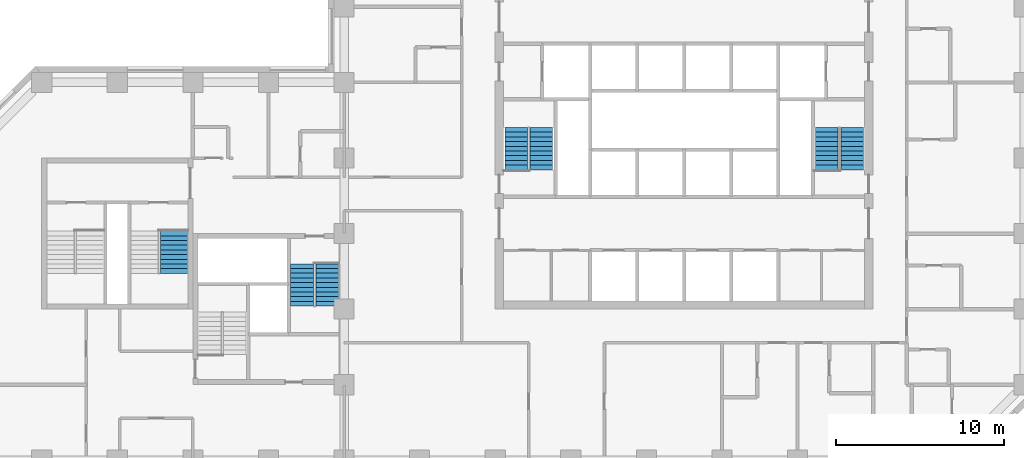
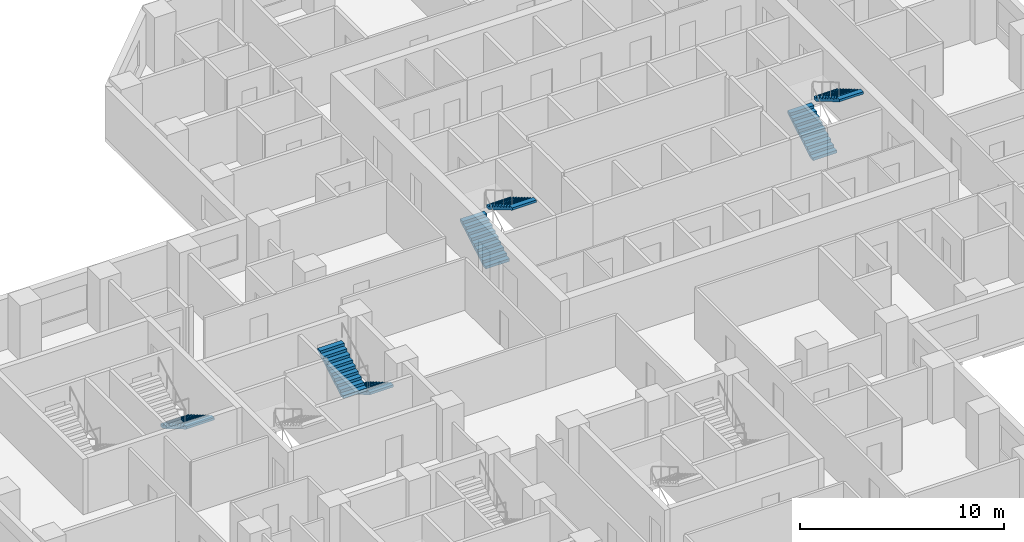
# One storey, part 11 of 12: 7 stair flights, 4 elements without a shape of their own.
"""IFC4 building model written with IfcOpenShell, lengths in metres."""

import ifcopenshell
import ifcopenshell.guid

model = None  # the IFC model being written
_history = None  # IfcOwnerHistory: only IFC2X3 demands one
_inside = {}  # id of a spatial element -> (the spatial element, [elements in it])
_under = {}  # id of a project, library or spatial element -> (it, [spatial elements below it])
_declared = {}  # id of a project -> (the project, [libraries it declares])
_typed = {}  # id of a type object -> (the type object, [elements of that type])
_made_of = {}  # id of a material, layer set ... -> (it, [elements and type objects made of it])


def new_model(schema):
    """Start an empty IFC model of exactly this schema.

    Asked for "IFC4X3", IfcOpenShell would pick the latest addendum, in which some entities
    have other attributes; the version numbers below select the first issue.
    IFC2X3 requires an IfcOwnerHistory on every rooted entity: one is made here for all.
    """
    global model, _history
    if schema == "IFC4X3":
        model = ifcopenshell.file(schema_version=(4, 3, 0, 0))
    else:
        model = ifcopenshell.file(schema=schema)
    _inside.clear()
    _under.clear()
    _declared.clear()
    _typed.clear()
    _made_of.clear()
    _history = None
    if model.schema == "IFC2X3":
        org = make("IfcOrganization", Name="unknown")
        user = make(
            "IfcPersonAndOrganization",
            ThePerson=make("IfcPerson", FamilyName="unknown"),
            TheOrganization=org,
        )
        app = make(
            "IfcApplication",
            ApplicationDeveloper=org,
            Version="unknown",
            ApplicationFullName="unknown",
            ApplicationIdentifier="unknown",
        )
        _history = make(
            "IfcOwnerHistory",
            OwningUser=user,
            OwningApplication=app,
            ChangeAction="ADDED",
            CreationDate=0,
        )
    return model


def make(cls, **values):
    """One entity of the class cls with the attributes given. An attribute that is None is left unset."""
    return model.create_entity(
        cls, **{name: value for name, value in values.items() if value is not None}
    )


def rooted(cls, **values):
    """An entity with a GlobalId (a new one), such as an element, a storey or a relation."""
    return make(cls, GlobalId=ifcopenshell.guid.new(), OwnerHistory=_history, **values)


def si_unit(unit_type, name, prefix=None):
    """IfcSIUnit, for example si_unit("LENGTHUNIT", "METRE", prefix="MILLI")."""
    return make("IfcSIUnit", UnitType=unit_type, Prefix=prefix, Name=name)


def assignment(units):
    """IfcUnitAssignment: the units of a project."""
    return None if units is None else make("IfcUnitAssignment", Units=units)


def point(xyz):
    """IfcCartesianPoint."""
    return None if xyz is None else make("IfcCartesianPoint", Coordinates=xyz)


def direction(xyz):
    """IfcDirection."""
    return None if xyz is None else make("IfcDirection", DirectionRatios=xyz)


def frame(location, z_axis=None, x_axis=None):
    """IfcAxis2Placement3D, a coordinate frame: its origin and axes. An axis left out is left unset."""
    return make(
        "IfcAxis2Placement3D",
        Location=point(location),
        Axis=direction(z_axis),
        RefDirection=direction(x_axis),
    )


def origin():
    """The frame at (0, 0, 0) with its axes left unset."""
    return frame((0.0, 0.0, 0.0))


def place(relative_to, where):
    """IfcLocalPlacement: puts the frame where relative to a parent placement (None: the world)."""
    return make(
        "IfcLocalPlacement", PlacementRelTo=relative_to, RelativePlacement=where
    )


def context(
    kind, dimensions, precision=None, world=None, true_north=None, identifier=None
):
    """IfcGeometricRepresentationContext, for example the 3D "Model" context."""
    return make(
        "IfcGeometricRepresentationContext",
        ContextIdentifier=identifier,
        ContextType=kind,
        CoordinateSpaceDimension=dimensions,
        Precision=precision,
        WorldCoordinateSystem=world,
        TrueNorth=true_north,
    )


def subcontext(parent, identifier, kind, view, scale=None):
    """IfcGeometricRepresentationSubContext, for example "Body" below "Model"."""
    return make(
        "IfcGeometricRepresentationSubContext",
        ContextIdentifier=identifier,
        ContextType=kind,
        ParentContext=parent,
        TargetScale=scale,
        TargetView=view,
    )


def project(units=None, contexts=None):
    """IfcProject with its units and contexts."""
    return rooted(
        "IfcProject",
        Name="project",
        RepresentationContexts=contexts,
        UnitsInContext=assignment(units),
    )


def spatial(cls, under=None, at=None, **own):
    """A site, building, storey or space (cls), placed at a placement, below another one or the project."""
    s = rooted(cls, ObjectPlacement=at, **own)
    if under is not None:
        _under.setdefault(under.id(), (under, []))[1].append(s)
    return s


def polyline(points):
    """IfcPolyline through the points."""
    return make("IfcPolyline", Points=[point(p) for p in points])


def outline(outer, holes=None, kind="AREA"):
    """IfcArbitraryClosedProfileDef: a profile drawn as a closed curve; with holes, ...WithVoids."""
    if holes is None:
        return make("IfcArbitraryClosedProfileDef", ProfileType=kind, OuterCurve=outer)
    return make(
        "IfcArbitraryProfileDefWithVoids",
        ProfileType=kind,
        OuterCurve=outer,
        InnerCurves=holes,
    )


def extrude(swept, where, along, depth):
    """IfcExtrudedAreaSolid: the profile swept, set in the frame where, extruded along a direction by depth."""
    return make(
        "IfcExtrudedAreaSolid",
        SweptArea=swept,
        Position=where,
        ExtrudedDirection=direction(along),
        Depth=depth,
    )


def shape(context_of_items, identifier, shape_type, items):
    """IfcShapeRepresentation: the items that make up one representation, for example the "Body"."""
    return make(
        "IfcShapeRepresentation",
        ContextOfItems=context_of_items,
        RepresentationIdentifier=identifier,
        RepresentationType=shape_type,
        Items=items,
    )


def material(Name=None, Category=None):
    """IfcMaterial."""
    return make("IfcMaterial", Name=Name, Category=Category)


def made_of(thing, what):
    """Note that an element or type object is made of a material, layer set ...; save() writes the relation."""
    if what is not None:
        _made_of.setdefault(what.id(), (what, []))[1].append(thing)
    return thing


def type_object(cls, material=None, **own):
    """A type object (cls), such as IfcWallType, which elements share."""
    return made_of(rooted(cls, **own), material)


def element(
    cls,
    number,
    at=None,
    inside=None,
    cuts=None,
    type_object=None,
    material=None,
    context=None,
    identifier="Body",
    shape_type=None,
    held_by="IfcProductDefinitionShape",
    body=None,
    shapes=None,
    **own,
):
    """One element of the class cls, such as IfcWall. Its Tag is "e" and its number.

    at: its placement. inside: the storey or other place that contains it. cuts: it is an
    opening in that element (IfcRelVoidsElement). A single representation is given by context,
    identifier, shape_type and body (its items); several are given by shapes. held_by: the class
    of the entity that holds the representations. save() writes the other relations.
    """
    e = rooted(cls, Tag="e%d" % number, ObjectPlacement=at, **own)
    if body is not None:
        shapes = [shape(context, identifier, shape_type, body)]
    if shapes is not None:
        e.Representation = make(held_by, Representations=shapes)
    if inside is not None:
        _inside.setdefault(inside.id(), (inside, []))[1].append(e)
    if cuts is not None:
        rooted(
            "IfcRelVoidsElement", RelatingBuildingElement=cuts, RelatedOpeningElement=e
        )
    if type_object is not None:
        _typed.setdefault(type_object.id(), (type_object, []))[1].append(e)
    return made_of(e, material)


def aggregate(whole, parts):
    """IfcRelAggregates: a whole, such as a stair, and the parts it consists of."""
    return rooted("IfcRelAggregates", RelatingObject=whole, RelatedObjects=parts)


def save(model, path):
    """Write the relations noted so far, then the file.

    IfcRelAggregates (storeys below a building ...), IfcRelContainedInSpatialStructure (elements
    in a storey), IfcRelDefinesByType, IfcRelAssociatesMaterial and IfcRelDeclares: one each for
    every whole, place, type object, material and project.
    """
    for whole, parts in _under.values():
        aggregate(whole, parts)
    for where, things in _inside.values():
        rooted(
            "IfcRelContainedInSpatialStructure",
            RelatedElements=things,
            RelatingStructure=where,
        )
    for kind, things in _typed.values():
        rooted("IfcRelDefinesByType", RelatedObjects=things, RelatingType=kind)
    for what, things in _made_of.values():
        rooted("IfcRelAssociatesMaterial", RelatedObjects=things, RelatingMaterial=what)
    for by, libraries in _declared.values():
        rooted("IfcRelDeclares", RelatingContext=by, RelatedDefinitions=libraries)
    model.write(path)


model = new_model("IFC4")

# Units and contexts
model_context = context("Model", 3, precision=1e-05, world=origin(), true_north=direction((0.0, 1.0)))
body_context = subcontext(model_context, "Body", "Model", "MODEL_VIEW")
ifc_project = project(units=[si_unit("LENGTHUNIT", "METRE"), si_unit("AREAUNIT", "SQUARE_METRE"), si_unit("VOLUMEUNIT", "CUBIC_METRE"), si_unit("PLANEANGLEUNIT", "RADIAN"), si_unit("MASSUNIT", "GRAM", prefix="KILO")], contexts=[model_context])

# Site, building, storey
site_placement = place(None, origin())
site = spatial("IfcSite", under=ifc_project, at=site_placement, CompositionType="ELEMENT")
building_placement = place(site_placement, origin())
building = spatial("IfcBuilding", under=site, at=building_placement, Name="Quoin Convention Tower", CompositionType="ELEMENT")
storey_placement = place(building_placement, frame((0.0, 0.0, 42.89990234375)))
storey = spatial("IfcBuildingStorey", under=building, at=storey_placement, Name="L10", CompositionType="ELEMENT", Elevation=42.89990234375)

# Stair, stair flights
ifc_material = material(Name="Concrete C40", Category="concrete")
stair_type_1 = type_object("IfcStairType", Name="Exit stair two-flight 1350", PredefinedType="HALF_TURN_STAIR", material=ifc_material)
stair_1_placement = place(storey_placement, origin())
stair_1 = element("IfcStair", 1, at=stair_1_placement, inside=storey, type_object=stair_type_1, Name="SD1 L10", PredefinedType="HALF_TURN_STAIR")
stair_flight_type_1 = type_object("IfcStairFlightType", Name="Stair flight 1350", PredefinedType="STRAIGHT", material=ifc_material)
stair_flight_1_placement = place(storey_placement, frame((46.25, 57.800048828125, 0.0), z_axis=(0.0, 0.0, 1.0), x_axis=(0.0, 1.0, 0.0)))
stair_flight_1 = element("IfcStairFlight", 2, at=stair_flight_1_placement, type_object=stair_flight_type_1, Name="ST1 flight 1", NumberOfRisers=10, NumberOfTreads=9, PredefinedType="STRAIGHT", RiserHeight=0.165, TreadLength=0.28, context=body_context, shape_type="SweptSolid", body=[
    extrude(outline(polyline([(0.0, 0.0), (0.0, 0.1650390625), (0.280029296875, 0.1650390625), (0.280029296875, 0.330078125), (0.56005859375, 0.330078125), (0.56005859375, 0.4951171875), (0.840087890625, 0.4951171875), (0.840087890625, 0.659912109375), (1.1201171875, 0.659912109375), (1.1201171875, 0.824951171875), (1.39990234375, 0.824951171875), (1.39990234375, 0.989990234375), (1.679931640625, 0.989990234375), (1.679931640625, 1.155029296875), (1.9599609375, 1.155029296875), (1.9599609375, 1.320068359375), (2.239990234375, 1.320068359375), (2.239990234375, 1.485107421875), (2.52001953125, 1.485107421875), (2.52001953125, 1.64990234375), (2.52001953125, 1.345458984375), (0.236572265625, 0.0), (0.0, 0.0)])), frame((0.0, 0.675048828125, 0.0), z_axis=(0.0, -1.0, 0.0), x_axis=(1.0, 0.0, 0.0)), (0.0, 0.0, 1.0), 1.35009765625),
])
stair_flight_2_placement = place(storey_placement, frame((47.75, 60.320068359375, 1.650146484375), z_axis=(0.0, 0.0, 1.0), x_axis=(0.0, -1.0, 0.0)))
stair_flight_2 = element("IfcStairFlight", 3, at=stair_flight_2_placement, type_object=stair_flight_type_1, Name="ST1 flight 2", NumberOfRisers=10, NumberOfTreads=9, PredefinedType="STRAIGHT", RiserHeight=0.165, TreadLength=0.28, context=body_context, shape_type="SweptSolid", body=[
    extrude(outline(polyline([(0.0, 0.0), (0.0, 0.1650390625), (0.280029296875, 0.1650390625), (0.280029296875, 0.330078125), (0.56005859375, 0.330078125), (0.56005859375, 0.4951171875), (0.840087890625, 0.4951171875), (0.840087890625, 0.659912109375), (1.1201171875, 0.659912109375), (1.1201171875, 0.824951171875), (1.39990234375, 0.824951171875), (1.39990234375, 0.989990234375), (1.679931640625, 0.989990234375), (1.679931640625, 1.155029296875), (1.9599609375, 1.155029296875), (1.9599609375, 1.320068359375), (2.239990234375, 1.320068359375), (2.239990234375, 1.485107421875), (2.52001953125, 1.485107421875), (2.52001953125, 1.64990234375), (2.52001953125, 1.345458984375), (0.236572265625, 0.0), (0.0, 0.0)])), frame((0.0, 0.675048828125, 0.0), z_axis=(0.0, -1.0, 0.0), x_axis=(1.0, 0.0, 0.0)), (0.0, 0.0, 1.0), 1.35009765625),
])
aggregate(stair_1, [stair_flight_1, stair_flight_2])

stair_2_placement = place(storey_placement, origin())
stair_2 = element("IfcStair", 4, at=stair_2_placement, inside=storey, type_object=stair_type_1, Name="SD2 L10", PredefinedType="HALF_TURN_STAIR")
stair_flight_3_placement = place(storey_placement, frame((64.75, 57.800048828125, 0.0), z_axis=(0.0, 0.0, 1.0), x_axis=(0.0, 1.0, 0.0)))
stair_flight_3 = element("IfcStairFlight", 5, at=stair_flight_3_placement, type_object=stair_flight_type_1, Name="ST2 flight 1", NumberOfRisers=10, NumberOfTreads=9, PredefinedType="STRAIGHT", RiserHeight=0.165, TreadLength=0.28, context=body_context, shape_type="SweptSolid", body=[
    extrude(outline(polyline([(0.0, 0.0), (0.0, 0.1650390625), (0.280029296875, 0.1650390625), (0.280029296875, 0.330078125), (0.56005859375, 0.330078125), (0.56005859375, 0.4951171875), (0.840087890625, 0.4951171875), (0.840087890625, 0.659912109375), (1.1201171875, 0.659912109375), (1.1201171875, 0.824951171875), (1.39990234375, 0.824951171875), (1.39990234375, 0.989990234375), (1.679931640625, 0.989990234375), (1.679931640625, 1.155029296875), (1.9599609375, 1.155029296875), (1.9599609375, 1.320068359375), (2.239990234375, 1.320068359375), (2.239990234375, 1.485107421875), (2.52001953125, 1.485107421875), (2.52001953125, 1.64990234375), (2.52001953125, 1.345458984375), (0.236572265625, 0.0), (0.0, 0.0)])), frame((0.0, 0.675048828125, 0.0), z_axis=(0.0, -1.0, 0.0), x_axis=(1.0, 0.0, 0.0)), (0.0, 0.0, 1.0), 1.35009765625),
])
stair_flight_4_placement = place(storey_placement, frame((66.25, 60.320068359375, 1.650146484375), z_axis=(0.0, 0.0, 1.0), x_axis=(0.0, -1.0, 0.0)))
stair_flight_4 = element("IfcStairFlight", 6, at=stair_flight_4_placement, type_object=stair_flight_type_1, Name="ST2 flight 2", NumberOfRisers=10, NumberOfTreads=9, PredefinedType="STRAIGHT", RiserHeight=0.165, TreadLength=0.28, context=body_context, shape_type="SweptSolid", body=[
    extrude(outline(polyline([(0.0, 0.0), (0.0, 0.1650390625), (0.280029296875, 0.1650390625), (0.280029296875, 0.330078125), (0.56005859375, 0.330078125), (0.56005859375, 0.4951171875), (0.840087890625, 0.4951171875), (0.840087890625, 0.659912109375), (1.1201171875, 0.659912109375), (1.1201171875, 0.824951171875), (1.39990234375, 0.824951171875), (1.39990234375, 0.989990234375), (1.679931640625, 0.989990234375), (1.679931640625, 1.155029296875), (1.9599609375, 1.155029296875), (1.9599609375, 1.320068359375), (2.239990234375, 1.320068359375), (2.239990234375, 1.485107421875), (2.52001953125, 1.485107421875), (2.52001953125, 1.64990234375), (2.52001953125, 1.345458984375), (0.236572265625, 0.0), (0.0, 0.0)])), frame((0.0, 0.675048828125, 0.0), z_axis=(0.0, -1.0, 0.0), x_axis=(1.0, 0.0, 0.0)), (0.0, 0.0, 1.0), 1.35009765625),
])
aggregate(stair_2, [stair_flight_3, stair_flight_4])

stair_3_placement = place(storey_placement, origin())
stair_3 = element("IfcStair", 7, at=stair_3_placement, inside=storey, type_object=stair_type_1, Name="SD4 L10", PredefinedType="HALF_TURN_STAIR")
stair_flight_5_placement = place(storey_placement, frame((35.0, 52.199951171875, 0.0), z_axis=(0.0, 0.0, 1.0), x_axis=(0.0, -1.0, 0.0)))
stair_flight_5 = element("IfcStairFlight", 8, at=stair_flight_5_placement, type_object=stair_flight_type_1, Name="ST4 flight 1", NumberOfRisers=10, NumberOfTreads=9, PredefinedType="STRAIGHT", RiserHeight=0.165, TreadLength=0.28, context=body_context, shape_type="SweptSolid", body=[
    extrude(outline(polyline([(0.0, 0.0), (0.0, 0.1650390625), (0.280029296875, 0.1650390625), (0.280029296875, 0.330078125), (0.56005859375, 0.330078125), (0.56005859375, 0.4951171875), (0.840087890625, 0.4951171875), (0.840087890625, 0.659912109375), (1.1201171875, 0.659912109375), (1.1201171875, 0.824951171875), (1.39990234375, 0.824951171875), (1.39990234375, 0.989990234375), (1.679931640625, 0.989990234375), (1.679931640625, 1.155029296875), (1.9599609375, 1.155029296875), (1.9599609375, 1.320068359375), (2.239990234375, 1.320068359375), (2.239990234375, 1.485107421875), (2.52001953125, 1.485107421875), (2.52001953125, 1.64990234375), (2.52001953125, 1.345458984375), (0.236572265625, 0.0), (0.0, 0.0)])), frame((0.0, 0.675048828125, 0.0), z_axis=(0.0, -1.0, 0.0), x_axis=(1.0, 0.0, 0.0)), (0.0, 0.0, 1.0), 1.35009765625),
])
stair_flight_6_placement = place(storey_placement, frame((33.5, 49.679931640625, 1.650146484375), z_axis=(0.0, 0.0, 1.0), x_axis=(0.0, 1.0, 0.0)))
stair_flight_6 = element("IfcStairFlight", 9, at=stair_flight_6_placement, type_object=stair_flight_type_1, Name="ST4 flight 2", NumberOfRisers=10, NumberOfTreads=9, PredefinedType="STRAIGHT", RiserHeight=0.165, TreadLength=0.28, context=body_context, shape_type="SweptSolid", body=[
    extrude(outline(polyline([(0.0, 0.0), (0.0, 0.1650390625), (0.280029296875, 0.1650390625), (0.280029296875, 0.330078125), (0.56005859375, 0.330078125), (0.56005859375, 0.4951171875), (0.840087890625, 0.4951171875), (0.840087890625, 0.659912109375), (1.1201171875, 0.659912109375), (1.1201171875, 0.824951171875), (1.39990234375, 0.824951171875), (1.39990234375, 0.989990234375), (1.679931640625, 0.989990234375), (1.679931640625, 1.155029296875), (1.9599609375, 1.155029296875), (1.9599609375, 1.320068359375), (2.239990234375, 1.320068359375), (2.239990234375, 1.485107421875), (2.52001953125, 1.485107421875), (2.52001953125, 1.64990234375), (2.52001953125, 1.345458984375), (0.236572265625, 0.0), (0.0, 0.0)])), frame((0.0, 0.675048828125, 0.0), z_axis=(0.0, -1.0, 0.0), x_axis=(1.0, 0.0, 0.0)), (0.0, 0.0, 1.0), 1.35009765625),
])
aggregate(stair_3, [stair_flight_5, stair_flight_6])

# Stair, stair flight
stair_type_2 = type_object("IfcStairType", Name="Exit stair two-flight 1600", PredefinedType="HALF_TURN_STAIR", material=ifc_material)
stair_4_placement = place(storey_placement, origin())
stair_4 = element("IfcStair", 10, at=stair_4_placement, inside=storey, type_object=stair_type_2, Name="SD12 L10", PredefinedType="HALF_TURN_STAIR")
stair_flight_type_2 = type_object("IfcStairFlightType", Name="Stair flight 1600", PredefinedType="STRAIGHT", material=ifc_material)
stair_flight_7_placement = place(storey_placement, frame((25.875, 54.14990234375, 0.0), z_axis=(0.0, 0.0, 1.0), x_axis=(0.0, -1.0, 0.0)))
stair_flight_7 = element("IfcStairFlight", 11, at=stair_flight_7_placement, type_object=stair_flight_type_2, Name="ST12 flight 1", NumberOfRisers=10, NumberOfTreads=9, PredefinedType="STRAIGHT", RiserHeight=0.165, TreadLength=0.28, context=body_context, shape_type="SweptSolid", body=[
    extrude(outline(polyline([(0.0, 0.0), (0.0, 0.1650390625), (0.280029296875, 0.1650390625), (0.280029296875, 0.330078125), (0.56005859375, 0.330078125), (0.56005859375, 0.4951171875), (0.840087890625, 0.4951171875), (0.840087890625, 0.659912109375), (1.1201171875, 0.659912109375), (1.1201171875, 0.824951171875), (1.39990234375, 0.824951171875), (1.39990234375, 0.989990234375), (1.679931640625, 0.989990234375), (1.679931640625, 1.155029296875), (1.9599609375, 1.155029296875), (1.9599609375, 1.320068359375), (2.239990234375, 1.320068359375), (2.239990234375, 1.485107421875), (2.52001953125, 1.485107421875), (2.52001953125, 1.64990234375), (2.52001953125, 1.345458984375), (0.236572265625, 0.0), (0.0, 0.0)])), frame((0.0, 0.800048828125, 0.0), z_axis=(0.0, -1.0, 0.0), x_axis=(1.0, 0.0, 0.0)), (0.0, 0.0, 1.0), 1.60009765625),
])
aggregate(stair_4, [stair_flight_7])

save(model, "model.ifc")
